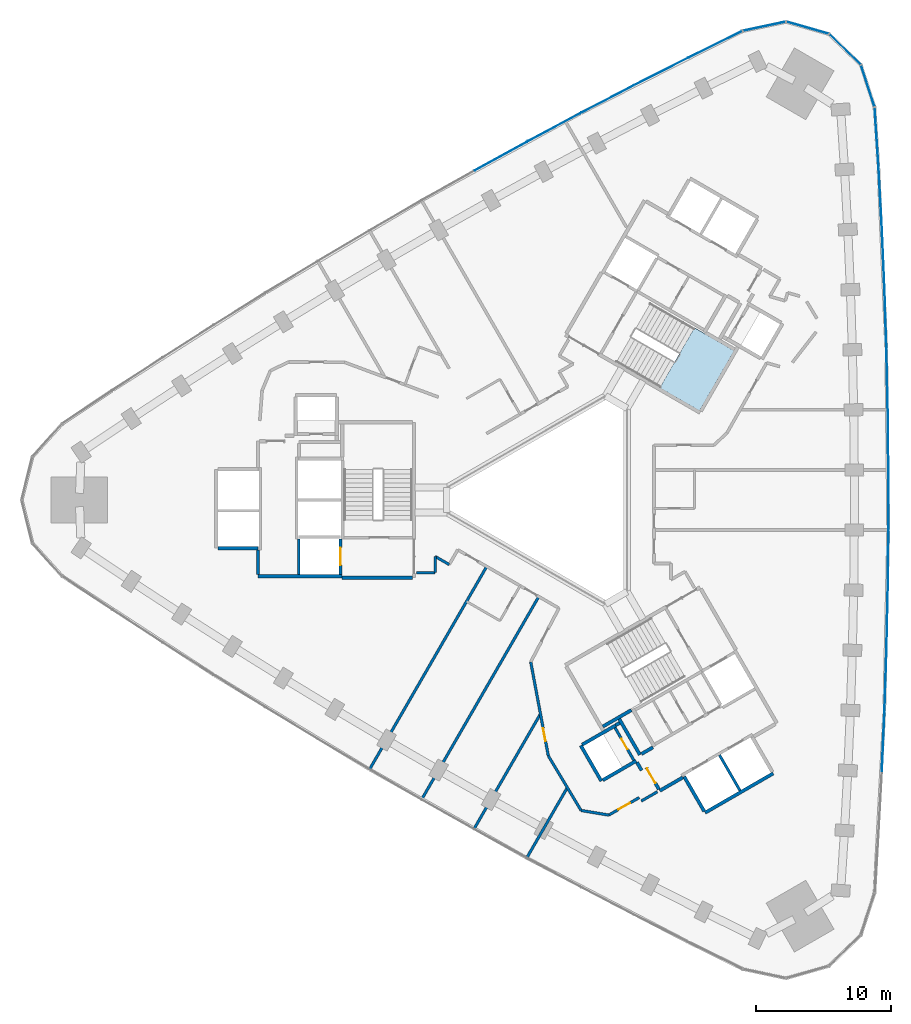
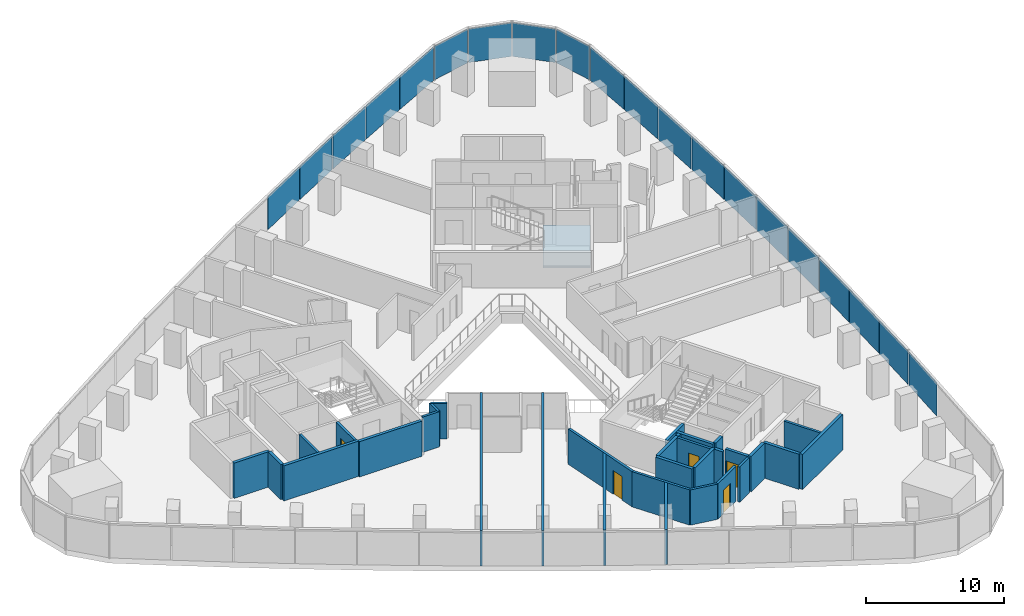
# One storey, part 8 of 13: 32 walls, 20 plates, 5 doors, 1 slab, 5 openings, 3 elements without a shape of their own.
"""IFC4 building model written with IfcOpenShell, lengths in metres."""

import ifcopenshell
import ifcopenshell.guid

model = None  # the IFC model being written
_history = None  # IfcOwnerHistory: only IFC2X3 demands one
_inside = {}  # id of a spatial element -> (the spatial element, [elements in it])
_under = {}  # id of a project, library or spatial element -> (it, [spatial elements below it])
_declared = {}  # id of a project -> (the project, [libraries it declares])
_typed = {}  # id of a type object -> (the type object, [elements of that type])
_made_of = {}  # id of a material, layer set ... -> (it, [elements and type objects made of it])


def new_model(schema):
    """Start an empty IFC model of exactly this schema.

    Asked for "IFC4X3", IfcOpenShell would pick the latest addendum, in which some entities
    have other attributes; the version numbers below select the first issue.
    IFC2X3 requires an IfcOwnerHistory on every rooted entity: one is made here for all.
    """
    global model, _history
    if schema == "IFC4X3":
        model = ifcopenshell.file(schema_version=(4, 3, 0, 0))
    else:
        model = ifcopenshell.file(schema=schema)
    _inside.clear()
    _under.clear()
    _declared.clear()
    _typed.clear()
    _made_of.clear()
    _history = None
    if model.schema == "IFC2X3":
        org = make("IfcOrganization", Name="unknown")
        user = make(
            "IfcPersonAndOrganization",
            ThePerson=make("IfcPerson", FamilyName="unknown"),
            TheOrganization=org,
        )
        app = make(
            "IfcApplication",
            ApplicationDeveloper=org,
            Version="unknown",
            ApplicationFullName="unknown",
            ApplicationIdentifier="unknown",
        )
        _history = make(
            "IfcOwnerHistory",
            OwningUser=user,
            OwningApplication=app,
            ChangeAction="ADDED",
            CreationDate=0,
        )
    return model


def make(cls, **values):
    """One entity of the class cls with the attributes given. An attribute that is None is left unset."""
    return model.create_entity(
        cls, **{name: value for name, value in values.items() if value is not None}
    )


def rooted(cls, **values):
    """An entity with a GlobalId (a new one), such as an element, a storey or a relation."""
    return make(cls, GlobalId=ifcopenshell.guid.new(), OwnerHistory=_history, **values)


def si_unit(unit_type, name, prefix=None):
    """IfcSIUnit, for example si_unit("LENGTHUNIT", "METRE", prefix="MILLI")."""
    return make("IfcSIUnit", UnitType=unit_type, Prefix=prefix, Name=name)


def assignment(units):
    """IfcUnitAssignment: the units of a project."""
    return None if units is None else make("IfcUnitAssignment", Units=units)


def point(xyz):
    """IfcCartesianPoint."""
    return None if xyz is None else make("IfcCartesianPoint", Coordinates=xyz)


def direction(xyz):
    """IfcDirection."""
    return None if xyz is None else make("IfcDirection", DirectionRatios=xyz)


def frame(location, z_axis=None, x_axis=None):
    """IfcAxis2Placement3D, a coordinate frame: its origin and axes. An axis left out is left unset."""
    return make(
        "IfcAxis2Placement3D",
        Location=point(location),
        Axis=direction(z_axis),
        RefDirection=direction(x_axis),
    )


def frame_2d(location, x_axis=None):
    """IfcAxis2Placement2D, a coordinate frame in the plane: its origin and x axis."""
    return make(
        "IfcAxis2Placement2D", Location=point(location), RefDirection=direction(x_axis)
    )


def origin():
    """The frame at (0, 0, 0) with its axes left unset."""
    return frame((0.0, 0.0, 0.0))


def origin_2d():
    """The frame at (0, 0) in the plane with its x axis left unset."""
    return frame_2d((0.0, 0.0))


def place(relative_to, where):
    """IfcLocalPlacement: puts the frame where relative to a parent placement (None: the world)."""
    return make(
        "IfcLocalPlacement", PlacementRelTo=relative_to, RelativePlacement=where
    )


def context(
    kind, dimensions, precision=None, world=None, true_north=None, identifier=None
):
    """IfcGeometricRepresentationContext, for example the 3D "Model" context."""
    return make(
        "IfcGeometricRepresentationContext",
        ContextIdentifier=identifier,
        ContextType=kind,
        CoordinateSpaceDimension=dimensions,
        Precision=precision,
        WorldCoordinateSystem=world,
        TrueNorth=true_north,
    )


def subcontext(parent, identifier, kind, view, scale=None):
    """IfcGeometricRepresentationSubContext, for example "Body" below "Model"."""
    return make(
        "IfcGeometricRepresentationSubContext",
        ContextIdentifier=identifier,
        ContextType=kind,
        ParentContext=parent,
        TargetScale=scale,
        TargetView=view,
    )


def project(units=None, contexts=None):
    """IfcProject with its units and contexts."""
    return rooted(
        "IfcProject",
        Name="project",
        RepresentationContexts=contexts,
        UnitsInContext=assignment(units),
    )


def spatial(cls, under=None, at=None, **own):
    """A site, building, storey or space (cls), placed at a placement, below another one or the project."""
    s = rooted(cls, ObjectPlacement=at, **own)
    if under is not None:
        _under.setdefault(under.id(), (under, []))[1].append(s)
    return s


def polyline(points):
    """IfcPolyline through the points."""
    return make("IfcPolyline", Points=[point(p) for p in points])


def profile(cls, at=None, kind="AREA", **sizes):
    """A parametric profile (cls). Its sizes go by their IFC names, for example OverallWidth=200.0."""
    return make(cls, ProfileType=kind, Position=at, **sizes)


def rectangle(**sizes):
    """IfcRectangleProfileDef."""
    return profile("IfcRectangleProfileDef", **sizes)


def outline(outer, holes=None, kind="AREA"):
    """IfcArbitraryClosedProfileDef: a profile drawn as a closed curve; with holes, ...WithVoids."""
    if holes is None:
        return make("IfcArbitraryClosedProfileDef", ProfileType=kind, OuterCurve=outer)
    return make(
        "IfcArbitraryProfileDefWithVoids",
        ProfileType=kind,
        OuterCurve=outer,
        InnerCurves=holes,
    )


def extrude(swept, where, along, depth):
    """IfcExtrudedAreaSolid: the profile swept, set in the frame where, extruded along a direction by depth."""
    return make(
        "IfcExtrudedAreaSolid",
        SweptArea=swept,
        Position=where,
        ExtrudedDirection=direction(along),
        Depth=depth,
    )


def shape(context_of_items, identifier, shape_type, items):
    """IfcShapeRepresentation: the items that make up one representation, for example the "Body"."""
    return make(
        "IfcShapeRepresentation",
        ContextOfItems=context_of_items,
        RepresentationIdentifier=identifier,
        RepresentationType=shape_type,
        Items=items,
    )


def material(Name=None, Category=None):
    """IfcMaterial."""
    return make("IfcMaterial", Name=Name, Category=Category)


def layer(
    of_material, thickness, ventilated=None, Name=None, Category=None, Priority=None
):
    """IfcMaterialLayer: one layer of a wall or slab, of a material (None: an air gap)."""
    return make(
        "IfcMaterialLayer",
        Material=of_material,
        LayerThickness=thickness,
        IsVentilated=ventilated,
        Name=Name,
        Category=Category,
        Priority=Priority,
    )


def layer_set(layers, Name=None):
    """IfcMaterialLayerSet."""
    return make("IfcMaterialLayerSet", MaterialLayers=layers, LayerSetName=Name)


def made_of(thing, what):
    """Note that an element or type object is made of a material, layer set ...; save() writes the relation."""
    if what is not None:
        _made_of.setdefault(what.id(), (what, []))[1].append(thing)
    return thing


def type_object(cls, material=None, **own):
    """A type object (cls), such as IfcWallType, which elements share."""
    return made_of(rooted(cls, **own), material)


def element(
    cls,
    number,
    at=None,
    inside=None,
    cuts=None,
    type_object=None,
    material=None,
    context=None,
    identifier="Body",
    shape_type=None,
    held_by="IfcProductDefinitionShape",
    body=None,
    shapes=None,
    **own,
):
    """One element of the class cls, such as IfcWall. Its Tag is "e" and its number.

    at: its placement. inside: the storey or other place that contains it. cuts: it is an
    opening in that element (IfcRelVoidsElement). A single representation is given by context,
    identifier, shape_type and body (its items); several are given by shapes. held_by: the class
    of the entity that holds the representations. save() writes the other relations.
    """
    e = rooted(cls, Tag="e%d" % number, ObjectPlacement=at, **own)
    if body is not None:
        shapes = [shape(context, identifier, shape_type, body)]
    if shapes is not None:
        e.Representation = make(held_by, Representations=shapes)
    if inside is not None:
        _inside.setdefault(inside.id(), (inside, []))[1].append(e)
    if cuts is not None:
        rooted(
            "IfcRelVoidsElement", RelatingBuildingElement=cuts, RelatedOpeningElement=e
        )
    if type_object is not None:
        _typed.setdefault(type_object.id(), (type_object, []))[1].append(e)
    return made_of(e, material)


def fill(opening, filler):
    """IfcRelFillsElement: the door or window that sits in an opening."""
    return rooted(
        "IfcRelFillsElement",
        RelatingOpeningElement=opening,
        RelatedBuildingElement=filler,
    )


def aggregate(whole, parts):
    """IfcRelAggregates: a whole, such as a stair, and the parts it consists of."""
    return rooted("IfcRelAggregates", RelatingObject=whole, RelatedObjects=parts)


def save(model, path):
    """Write the relations noted so far, then the file.

    IfcRelAggregates (storeys below a building ...), IfcRelContainedInSpatialStructure (elements
    in a storey), IfcRelDefinesByType, IfcRelAssociatesMaterial and IfcRelDeclares: one each for
    every whole, place, type object, material and project.
    """
    for whole, parts in _under.values():
        aggregate(whole, parts)
    for where, things in _inside.values():
        rooted(
            "IfcRelContainedInSpatialStructure",
            RelatedElements=things,
            RelatingStructure=where,
        )
    for kind, things in _typed.values():
        rooted("IfcRelDefinesByType", RelatedObjects=things, RelatingType=kind)
    for what, things in _made_of.values():
        rooted("IfcRelAssociatesMaterial", RelatedObjects=things, RelatingMaterial=what)
    for by, libraries in _declared.values():
        rooted("IfcRelDeclares", RelatingContext=by, RelatedDefinitions=libraries)
    model.write(path)


model = new_model("IFC4")

# Units and contexts
model_context = context("Model", 3, precision=1e-05, world=origin(), true_north=direction((0.0, 1.0)))
body_context = subcontext(model_context, "Body", "Model", "MODEL_VIEW")
ifc_project = project(units=[si_unit("LENGTHUNIT", "METRE"), si_unit("AREAUNIT", "SQUARE_METRE"), si_unit("VOLUMEUNIT", "CUBIC_METRE"), si_unit("PLANEANGLEUNIT", "RADIAN"), si_unit("MASSUNIT", "GRAM", prefix="KILO")], contexts=[model_context])

# Site, building, storey
site_placement = place(None, origin())
site = spatial("IfcSite", under=ifc_project, at=site_placement, CompositionType="ELEMENT")
building_placement = place(site_placement, origin())
building = spatial("IfcBuilding", under=site, at=building_placement, Name="Tamra Quay Hotel Tower", CompositionType="ELEMENT")
storey_placement = place(building_placement, frame((0.0, 0.0, 60.199951171875)))
storey = spatial("IfcBuildingStorey", under=building, at=storey_placement, Name="L13", CompositionType="ELEMENT", Elevation=60.199951171875)

# Stair, slab
ifc_material_1 = material(Name="Exit stair 2200 24 risers 150.0 going 342")
stair_type = type_object("IfcStairType", Name="Exit stair 2200 24 risers 150.0 going 342", PredefinedType="HALF_TURN_STAIR", material=ifc_material_1)
stair_placement = place(storey_placement, origin())
stair = element("IfcStair", 1, at=stair_placement, inside=storey, type_object=stair_type, Name="L13 Exit stair ST1", PredefinedType="HALF_TURN_STAIR")
ifc_material_2 = material(Name="Concrete M70", Category="concrete")
ifc_layer_1 = layer(ifc_material_2, 0.175048828125)
ifc_layer_set_1 = layer_set([ifc_layer_1], Name="Concrete M70 stair landing 180")
slab_type = type_object("IfcSlabType", Name="Concrete M70 stair landing 180", PredefinedType="LANDING", material=ifc_layer_set_1)
slab_placement = place(storey_placement, frame((0.0, 0.0, 1.625)))
slab = element("IfcSlab", 2, at=slab_placement, type_object=slab_type, Name="ST1 landing 1", PredefinedType="LANDING", context=body_context, shape_type="SweptSolid", body=[
    extrude(outline(polyline([(7.425048828125, 8.336669921875), (10.385009765625, 6.627685546875), (12.964599609375, 11.095458984375), (10.00439453125, 12.804443359375), (7.425048828125, 8.336669921875)])), origin(), (0.0, 0.0, 1.0), 0.175048828125),
])
aggregate(stair, [slab])

# Curtain wall, plates
ifc_material_3 = material(Name="Aluminium 6063 anodised dark grey", Category="aluminium")
curtain_wall_type_1 = type_object("IfcCurtainWallType", Name="CW1 CURTAIN WALL", PredefinedType="NOTDEFINED", material=ifc_material_3)
curtain_wall_1_placement = place(storey_placement, origin())
curtain_wall_1 = element("IfcCurtainWall", 3, at=curtain_wall_1_placement, inside=storey, type_object=curtain_wall_type_1, Name="CW1 east face L13", PredefinedType="NOTDEFINED")
ifc_material_4 = material(Name="Glass clear laminated low-iron", Category="glass")
ifc_layer_2 = layer(ifc_material_4, 0.035888671875)
ifc_layer_set_2 = layer_set([ifc_layer_2], Name="GLASS PANEL CW1 Z1")
plate_type_1 = type_object("IfcPlateType", Name="GLASS PANEL CW1 Z1", PredefinedType="CURTAIN_PANEL", material=ifc_layer_set_2)
plate_1_placement = place(storey_placement, frame((24.04052734375, -17.985107421875, 0.0), z_axis=(0.0, 0.0, 1.0), x_axis=(0.043285462035, 0.999062745165, 0.0)))
plate_1 = element("IfcPlate", 4, at=plate_1_placement, type_object=plate_type_1, Name="CW1 glass L13.E.3", PredefinedType="CURTAIN_PANEL", context=body_context, shape_type="SweptSolid", body=[
    extrude(rectangle(XDim=4.397216796875, YDim=0.035888671875, at=origin_2d()), origin(), (0.0, 0.0, 1.0), 2.985107421875),
])
plate_2_placement = place(storey_placement, frame((24.2109375, -13.490966796875, 0.0), z_axis=(0.0, 0.0, 1.0), x_axis=(0.032474799035, 0.999472554615, 0.0)))
plate_2 = element("IfcPlate", 5, at=plate_2_placement, type_object=plate_type_1, Name="CW1 glass L13.E.4", PredefinedType="CURTAIN_PANEL", context=body_context, shape_type="SweptSolid", body=[
    extrude(rectangle(XDim=4.397216796875, YDim=0.035888671875, at=origin_2d()), origin(), (0.0, 0.0, 1.0), 2.985107421875),
])
plate_3_placement = place(storey_placement, frame((24.332763671875, -8.99462890625, 0.0), z_axis=(0.0, 0.0, 1.0), x_axis=(0.021657440572, 0.999765450127, 0.0)))
plate_3 = element("IfcPlate", 6, at=plate_3_placement, type_object=plate_type_1, Name="CW1 glass L13.E.5", PredefinedType="CURTAIN_PANEL", context=body_context, shape_type="SweptSolid", body=[
    extrude(rectangle(XDim=4.39892578125, YDim=0.035888671875, at=origin_2d()), origin(), (0.0, 0.0, 1.0), 2.985107421875),
])
plate_4_placement = place(storey_placement, frame((24.40576171875, -4.4970703125, 0.0), z_axis=(0.0, 0.0, 1.0), x_axis=(0.010835825783, 0.999941290716, 0.0)))
plate_4 = element("IfcPlate", 7, at=plate_4_placement, type_object=plate_type_1, Name="CW1 glass L13.E.6", PredefinedType="CURTAIN_PANEL", context=body_context, shape_type="SweptSolid", body=[
    extrude(rectangle(XDim=4.397216796875, YDim=0.035888671875, at=origin_2d()), origin(), (0.0, 0.0, 1.0), 2.985107421875),
])
plate_5_placement = place(storey_placement, frame((24.43017578125, 0.0, 0.0), z_axis=(0.0, 0.0, 1.0), x_axis=(0.0, 1.0, 0.0)))
plate_5 = element("IfcPlate", 8, at=plate_5_placement, type_object=plate_type_1, Name="CW1 glass L13.E.7", PredefinedType="CURTAIN_PANEL", context=body_context, shape_type="SweptSolid", body=[
    extrude(rectangle(XDim=4.397216796875, YDim=0.035888671875, at=origin_2d()), origin(), (0.0, 0.0, 1.0), 2.985107421875),
])
plate_6_placement = place(storey_placement, frame((24.40576171875, 4.4970703125, 0.0), z_axis=(0.0, 0.0, 1.0), x_axis=(-0.010835825783, 0.999941290716, 0.0)))
plate_6 = element("IfcPlate", 9, at=plate_6_placement, type_object=plate_type_1, Name="CW1 glass L13.E.8", PredefinedType="CURTAIN_PANEL", context=body_context, shape_type="SweptSolid", body=[
    extrude(rectangle(XDim=4.397216796875, YDim=0.035888671875, at=origin_2d()), origin(), (0.0, 0.0, 1.0), 2.985107421875),
])
plate_7_placement = place(storey_placement, frame((24.332763671875, 8.99462890625, 0.0), z_axis=(0.0, 0.0, 1.0), x_axis=(-0.021657440572, 0.999765450127, 0.0)))
plate_7 = element("IfcPlate", 10, at=plate_7_placement, type_object=plate_type_1, Name="CW1 glass L13.E.9", PredefinedType="CURTAIN_PANEL", context=body_context, shape_type="SweptSolid", body=[
    extrude(rectangle(XDim=4.39892578125, YDim=0.035888671875, at=origin_2d()), origin(), (0.0, 0.0, 1.0), 2.985107421875),
])
plate_8_placement = place(storey_placement, frame((24.2109375, 13.490966796875, 0.0), z_axis=(0.0, 0.0, 1.0), x_axis=(-0.032474799035, 0.999472554615, 0.0)))
plate_8 = element("IfcPlate", 11, at=plate_8_placement, type_object=plate_type_1, Name="CW1 glass L13.E.10", PredefinedType="CURTAIN_PANEL", context=body_context, shape_type="SweptSolid", body=[
    extrude(rectangle(XDim=4.397216796875, YDim=0.035888671875, at=origin_2d()), origin(), (0.0, 0.0, 1.0), 2.985107421875),
])
plate_9_placement = place(storey_placement, frame((24.04052734375, 17.985107421875, 0.0), z_axis=(0.0, 0.0, 1.0), x_axis=(-0.043285462035, 0.999062745165, 0.0)))
plate_9 = element("IfcPlate", 12, at=plate_9_placement, type_object=plate_type_1, Name="CW1 glass L13.E.11", PredefinedType="CURTAIN_PANEL", context=body_context, shape_type="SweptSolid", body=[
    extrude(rectangle(XDim=4.397216796875, YDim=0.035888671875, at=origin_2d()), origin(), (0.0, 0.0, 1.0), 2.985107421875),
])
plate_10_placement = place(storey_placement, frame((23.821533203125, 22.477783203125, 0.0), z_axis=(0.0, 0.0, 1.0), x_axis=(-0.054062119595, 0.998537574268, 0.0)))
plate_10 = element("IfcPlate", 13, at=plate_10_placement, type_object=plate_type_1, Name="CW1 glass L13.E.12", PredefinedType="CURTAIN_PANEL", context=body_context, shape_type="SweptSolid", body=[
    extrude(rectangle(XDim=4.39892578125, YDim=0.035888671875, at=origin_2d()), origin(), (0.0, 0.0, 1.0), 2.985107421875),
])
plate_11_placement = place(storey_placement, frame((23.55419921875, 26.96728515625, 0.0), z_axis=(0.0, 0.0, 1.0), x_axis=(-0.064813097616, 0.997897420769, 0.0)))
plate_11 = element("IfcPlate", 14, at=plate_11_placement, type_object=plate_type_1, Name="CW1 glass L13.E.13", PredefinedType="CURTAIN_PANEL", context=body_context, shape_type="SweptSolid", body=[
    extrude(rectangle(XDim=4.396484375, YDim=0.035888671875, at=origin_2d()), origin(), (0.0, 0.0, 1.0), 2.985107421875),
])
plate_12_placement = place(storey_placement, frame((22.8974609375, 30.783447265625, 0.0), z_axis=(0.0, 0.0, 1.0), x_axis=(-0.309040551826, 0.951048861693, 0.0)))
plate_12 = element("IfcPlate", 15, at=plate_12_placement, type_object=plate_type_1, Name="CW1 glass L13.E.14", PredefinedType="CURTAIN_PANEL", context=body_context, shape_type="SweptSolid", body=[
    extrude(rectangle(XDim=3.207275390625, YDim=0.035888671875, at=origin_2d()), origin(), (0.0, 0.0, 1.0), 2.985107421875),
])
plate_13_placement = place(storey_placement, frame((21.197021484375, 33.5048828125, 0.0), z_axis=(0.0, 0.0, 1.0), x_axis=(-0.719345535851, 0.694652431113, 0.0)))
plate_13 = element("IfcPlate", 16, at=plate_13_placement, type_object=plate_type_1, Name="CW1 glass L13.E.15", PredefinedType="CURTAIN_PANEL", context=body_context, shape_type="SweptSolid", body=[
    extrude(rectangle(XDim=3.207275390625, YDim=0.035888671875, at=origin_2d()), origin(), (0.0, 0.0, 1.0), 2.985107421875),
])
plate_14_placement = place(storey_placement, frame((18.417724609375, 35.109619140625, 0.0), z_axis=(0.0, 0.0, 1.0), x_axis=(-0.96125942007, 0.275645292589, 0.0)))
plate_14 = element("IfcPlate", 17, at=plate_14_placement, type_object=plate_type_1, Name="CW1 glass L13.E.16", PredefinedType="CURTAIN_PANEL", context=body_context, shape_type="SweptSolid", body=[
    extrude(rectangle(XDim=3.207275390625, YDim=0.035888671875, at=origin_2d()), origin(), (0.0, 0.0, 1.0), 2.985107421875),
])
plate_15_placement = place(storey_placement, frame((15.210693359375, 35.2216796875, 0.0), z_axis=(0.0, 0.0, 1.0), x_axis=(-0.978152750379, -0.207887462165, 0.0)))
plate_15 = element("IfcPlate", 18, at=plate_15_placement, type_object=plate_type_1, Name="CW1 glass L13.E.17", PredefinedType="CURTAIN_PANEL", context=body_context, shape_type="SweptSolid", body=[
    extrude(rectangle(XDim=3.207275390625, YDim=0.035888671875, at=origin_2d()), origin(), (0.0, 0.0, 1.0), 2.985107421875),
])
aggregate(curtain_wall_1, [plate_1, plate_2, plate_3, plate_4, plate_5, plate_6, plate_7, plate_8, plate_9, plate_10, plate_11, plate_12, plate_13, plate_14, plate_15])

curtain_wall_type_2 = type_object("IfcCurtainWallType", Name="CW2 CURTAIN WALL", PredefinedType="NOTDEFINED", material=ifc_material_3)
curtain_wall_2_placement = place(storey_placement, origin())
curtain_wall_2 = element("IfcCurtainWall", 19, at=curtain_wall_2_placement, inside=storey, type_object=curtain_wall_type_2, Name="CW2 north-west face L13", PredefinedType="NOTDEFINED")
ifc_layer_3 = layer(ifc_material_4, 0.035888671875)
ifc_layer_set_3 = layer_set([ifc_layer_3], Name="GLASS PANEL CW2 Z1")
plate_type_2 = type_object("IfcPlateType", Name="GLASS PANEL CW2 Z1", PredefinedType="CURTAIN_PANEL", material=ifc_layer_set_3)
plate_16_placement = place(storey_placement, frame((11.5771484375, 33.88232421875, 0.0), z_axis=(0.0, 0.0, 1.0), x_axis=(-0.896611065565, -0.442818921351, 0.0)))
plate_16 = element("IfcPlate", 20, at=plate_16_placement, type_object=plate_type_2, Name="CW2 glass L13.NW.1", PredefinedType="CURTAIN_PANEL", context=body_context, shape_type="SweptSolid", body=[
    extrude(rectangle(XDim=4.396484375, YDim=0.035888671875, at=origin_2d()), origin(), (0.0, 0.0, 1.0), 2.985107421875),
])
plate_17_placement = place(storey_placement, frame((7.555419921875, 31.868896484375, 0.0), z_axis=(0.0, 0.0, 1.0), x_axis=(-0.891789965747, -0.452449618182, 0.0)))
plate_17 = element("IfcPlate", 21, at=plate_17_placement, type_object=plate_type_2, Name="CW2 glass L13.NW.2", PredefinedType="CURTAIN_PANEL", context=body_context, shape_type="SweptSolid", body=[
    extrude(rectangle(XDim=4.39892578125, YDim=0.035888671875, at=origin_2d()), origin(), (0.0, 0.0, 1.0), 2.985107421875),
])
plate_18_placement = place(storey_placement, frame((3.55517578125, 29.812255859375, 0.0), z_axis=(0.0, 0.0, 1.0), x_axis=(-0.886856448305, -0.462045062846, 0.0)))
plate_18 = element("IfcPlate", 22, at=plate_18_placement, type_object=plate_type_2, Name="CW2 glass L13.NW.3", PredefinedType="CURTAIN_PANEL", context=body_context, shape_type="SweptSolid", body=[
    extrude(rectangle(XDim=4.397216796875, YDim=0.035888671875, at=origin_2d()), origin(), (0.0, 0.0, 1.0), 2.985107421875),
])
plate_19_placement = place(storey_placement, frame((-0.421875, 27.712890625, 0.0), z_axis=(0.0, 0.0, 1.0), x_axis=(-0.881806022199, -0.47161227636, 0.0)))
plate_19 = element("IfcPlate", 23, at=plate_19_placement, type_object=plate_type_2, Name="CW2 glass L13.NW.4", PredefinedType="CURTAIN_PANEL", context=body_context, shape_type="SweptSolid", body=[
    extrude(rectangle(XDim=4.397216796875, YDim=0.035888671875, at=origin_2d()), origin(), (0.0, 0.0, 1.0), 2.985107421875),
])
plate_20_placement = place(storey_placement, frame((-4.376708984375, 25.570068359375, 0.0), z_axis=(0.0, 0.0, 1.0), x_axis=(-0.876650997922, -0.481126831347, 0.0)))
plate_20 = element("IfcPlate", 24, at=plate_20_placement, type_object=plate_type_2, Name="CW2 glass L13.NW.5", PredefinedType="CURTAIN_PANEL", context=body_context, shape_type="SweptSolid", body=[
    extrude(rectangle(XDim=4.39892578125, YDim=0.035888671875, at=origin_2d()), origin(), (0.0, 0.0, 1.0), 2.985107421875),
])
aggregate(curtain_wall_2, [plate_16, plate_17, plate_18, plate_19, plate_20])

# Wall, opening, door
ifc_layer_4 = layer(ifc_material_2, 0.199951171875)
ifc_layer_set_4 = layer_set([ifc_layer_4], Name="Concrete M70 core wall 200")
wall_type_1 = type_object("IfcWallType", Name="Concrete M70 core wall 200", PredefinedType="SHEAR", material=ifc_layer_set_4)
wall_1_placement = place(storey_placement, frame((-16.312255859375, -2.898193359375, 0.0), z_axis=(0.0, 0.0, 1.0), x_axis=(0.0, -1.0, 0.0)))
wall_1 = element("IfcWall", 25, at=wall_1_placement, inside=storey, type_object=wall_type_1, Name="CW2", PredefinedType="SHEAR", context=body_context, shape_type="SweptSolid", body=[
    extrude(rectangle(XDim=2.65087890625, YDim=0.199951171875, at=frame_2d((1.325439453125, 0.0))), origin(), (0.0, 0.0, 1.0), 3.125),
])
opening_1_placement = place(wall_1_placement, frame((0.65185546875, 0.0, 0.0)))
opening_1 = element("IfcOpeningElement", 26, at=opening_1_placement, cuts=wall_1, Name="Opening LD", PredefinedType="OPENING", context=body_context, shape_type="SweptSolid", body=[
    extrude(rectangle(XDim=1.300048828125, YDim=2.10009765625, at=frame_2d((0.64990234375, 1.050048828125))), frame((0.0, 0.10986328125, 0.0), z_axis=(0.0, -1.0, 0.0), x_axis=(1.0, 0.0, 0.0)), (0.0, 0.0, 1.0), 0.219970703125),
])
ifc_material_5 = material(Name="Landing door LD 1300 sliding to left")
door_type_1 = type_object("IfcDoorType", Name="Landing door LD 1300 sliding to left", OperationType="NOTDEFINED", PredefinedType="DOOR", material=ifc_material_5)
door_1_placement = place(opening_1_placement, origin())
door_1 = element("IfcDoor", 27, at=door_1_placement, inside=storey, type_object=door_type_1, Name="LD", OperationType="SLIDING_TO_LEFT", OverallHeight=2.10009765625, OverallWidth=1.300048828125, PredefinedType="DOOR", context=body_context, shape_type="SweptSolid", body=[
    extrude(rectangle(XDim=1.300048828125, YDim=2.10009765625, at=frame_2d((0.64990234375, 1.050048828125))), frame((0.0, 0.02490234375, 0.0), z_axis=(0.0, -1.0, 0.0), x_axis=(1.0, 0.0, 0.0)), (0.0, 0.0, 1.0), 0.050048828125),
])
fill(opening_1, door_1)

# Walls
wall_2_placement = place(storey_placement, frame((-19.412353515625, -5.549072265625, 0.0), z_axis=(0.0, 0.0, 1.0), x_axis=(0.0, 1.0, 0.0)))
element("IfcWall", 28, at=wall_2_placement, inside=storey, type_object=wall_type_1, Name="CW2", PredefinedType="SHEAR", context=body_context, shape_type="SweptSolid", body=[
    extrude(rectangle(XDim=2.65087890625, YDim=0.199951171875, at=frame_2d((1.325439453125, 0.0))), origin(), (0.0, 0.0, 1.0), 3.125),
])
wall_3_placement = place(storey_placement, frame((11.87451171875, -18.967041015625, 0.0), z_axis=(0.0, 0.0, 1.0), x_axis=(0.49998131003, -0.866036194175, 0.0)))
element("IfcWall", 29, at=wall_3_placement, inside=storey, type_object=wall_type_1, Name="CW2", PredefinedType="SHEAR", context=body_context, shape_type="SweptSolid", body=[
    extrude(rectangle(XDim=3.0478515625, YDim=0.199951171875, at=frame_2d((1.52392578125, 0.0))), origin(), (0.0, 0.0, 1.0), 3.125),
])

# Wall, opening, door
wall_4_placement = place(storey_placement, frame((5.50341796875, -19.352294921875, 0.0), z_axis=(0.0, 0.0, 1.0), x_axis=(-0.499986818241, 0.866033014143, 0.0)))
wall_4 = element("IfcWall", 30, at=wall_4_placement, inside=storey, type_object=wall_type_1, Name="CW2", PredefinedType="SHEAR", context=body_context, shape_type="SweptSolid", body=[
    extrude(rectangle(XDim=2.7978515625, YDim=0.199951171875, at=frame_2d((1.39892578125, 0.0))), origin(), (0.0, 0.0, 1.0), 3.125),
])
opening_2_placement = place(wall_4_placement, frame((0.948974609375, 0.0, 0.0)))
opening_2 = element("IfcOpeningElement", 31, at=opening_2_placement, cuts=wall_4, Name="Opening D1", PredefinedType="OPENING", context=body_context, shape_type="SweptSolid", body=[
    extrude(rectangle(XDim=0.89990234375, YDim=2.10009765625, at=frame_2d((0.449951171875, 1.050048828125))), frame((0.0, 0.10986328125, 0.0), z_axis=(0.0, -1.0, 0.0), x_axis=(1.0, 0.0, 0.0)), (0.0, 0.0, 1.0), 0.219970703125),
])
ifc_material_6 = material(Name="Core door D1 900x2100 LH")
door_type_2 = type_object("IfcDoorType", Name="Core door D1 900x2100 LH", OperationType="NOTDEFINED", PredefinedType="DOOR", material=ifc_material_6)
door_2_placement = place(opening_2_placement, origin())
door_2 = element("IfcDoor", 32, at=door_2_placement, inside=storey, type_object=door_type_2, Name="D1", OperationType="SINGLE_SWING_LEFT", OverallHeight=2.10009765625, OverallWidth=0.89990234375, PredefinedType="DOOR", context=body_context, shape_type="SweptSolid", body=[
    extrude(rectangle(XDim=0.89990234375, YDim=2.10009765625, at=frame_2d((0.449951171875, 1.050048828125))), frame((0.0, 0.02490234375, 0.0), z_axis=(0.0, -1.0, 0.0), x_axis=(1.0, 0.0, 0.0)), (0.0, 0.0, 1.0), 0.050048828125),
])
fill(opening_2, door_2)

# Walls
ifc_layer_5 = layer(ifc_material_2, 0.25)
ifc_layer_set_5 = layer_set([ifc_layer_5], Name="Concrete M70 core wall 250")
wall_type_2 = type_object("IfcWallType", Name="Concrete M70 core wall 250", PredefinedType="SHEAR", material=ifc_layer_set_5)
wall_5_placement = place(storey_placement, frame((-16.187255859375, -5.675048828125, 0.0), z_axis=(0.0, 0.0, 1.0), x_axis=(-1.0, 0.0, 0.0)))
element("IfcWall", 33, at=wall_5_placement, inside=storey, type_object=wall_type_2, Name="CW1", PredefinedType="SHEAR", context=body_context, shape_type="SweptSolid", body=[
    extrude(rectangle(XDim=6.25, YDim=0.25, at=frame_2d((3.125, 0.0))), origin(), (0.0, 0.0, 1.0), 3.125),
])
wall_6_placement = place(storey_placement, frame((-10.962646484375, -5.77490234375, 0.0), z_axis=(0.0, 0.0, 1.0), x_axis=(-1.0, 0.0, 0.0)))
element("IfcWall", 34, at=wall_6_placement, inside=storey, type_object=wall_type_2, Name="CW1", PredefinedType="SHEAR", context=body_context, shape_type="SweptSolid", body=[
    extrude(rectangle(XDim=5.224609375, YDim=0.25, at=frame_2d((2.6123046875, 0.0))), origin(), (0.0, 0.0, 1.0), 3.125),
])
wall_7_placement = place(storey_placement, frame((-22.437255859375, -3.574951171875, 0.0), z_axis=(0.0, 0.0, 1.0), x_axis=(-1.0, 0.0, 0.0)))
element("IfcWall", 35, at=wall_7_placement, inside=storey, type_object=wall_type_2, Name="CW1", PredefinedType="SHEAR", context=body_context, shape_type="SweptSolid", body=[
    extrude(rectangle(XDim=2.974609375, YDim=0.25, at=frame_2d((1.4873046875, 0.0))), origin(), (0.0, 0.0, 1.0), 3.125),
])
wall_8_placement = place(storey_placement, frame((-22.437255859375, -5.549560546875, 0.0), z_axis=(0.0, 0.0, 1.0), x_axis=(0.0, 1.0, 0.0)))
element("IfcWall", 36, at=wall_8_placement, inside=storey, type_object=wall_type_2, Name="CW1", PredefinedType="SHEAR", context=body_context, shape_type="SweptSolid", body=[
    extrude(rectangle(XDim=1.84912109375, YDim=0.25, at=frame_2d((0.924560546875, 0.0))), origin(), (0.0, 0.0, 1.0), 3.125),
])
wall_9_placement = place(storey_placement, frame((15.86474609375, -20.328369140625, 0.0), z_axis=(0.0, 0.0, 1.0), x_axis=(-0.86602852612, -0.499994591916, 0.0)))
element("IfcWall", 37, at=wall_9_placement, inside=storey, type_object=wall_type_2, Name="CW1", PredefinedType="SHEAR", context=body_context, shape_type="SweptSolid", body=[
    extrude(rectangle(XDim=5.85009765625, YDim=0.25, at=frame_2d((2.925048828125, 0.0))), origin(), (0.0, 0.0, 1.0), 3.125),
])
wall_10_placement = place(storey_placement, frame((10.73583984375, -23.144775390625, 0.0), z_axis=(0.0, 0.0, 1.0), x_axis=(-0.500023226632, 0.866011993467, 0.0)))
element("IfcWall", 38, at=wall_10_placement, inside=storey, type_object=wall_type_2, Name="CW1", PredefinedType="SHEAR", context=body_context, shape_type="SweptSolid", body=[
    extrude(rectangle(XDim=2.974365234375, YDim=0.25, at=frame_2d((1.4873046875, 0.0))), origin(), (0.0, 0.0, 1.0), 3.125),
])
wall_11_placement = place(storey_placement, frame((3.085205078125, -20.893798828125, 0.0), z_axis=(0.0, 0.0, 1.0), x_axis=(-0.499978833458, 0.866037623948, 0.0)))
element("IfcWall", 39, at=wall_11_placement, inside=storey, type_object=wall_type_2, Name="CW1", PredefinedType="SHEAR", context=body_context, shape_type="SweptSolid", body=[
    extrude(rectangle(XDim=3.050048828125, YDim=0.25, at=frame_2d((1.52490234375, 0.0))), origin(), (0.0, 0.0, 1.0), 3.125),
])
wall_12_placement = place(storey_placement, frame((1.6689453125, -18.189697265625, 0.0), z_axis=(0.0, 0.0, 1.0), x_axis=(0.866042235819, 0.499970844928, 0.0)))
element("IfcWall", 40, at=wall_12_placement, inside=storey, type_object=wall_type_2, Name="CW1", PredefinedType="SHEAR", context=body_context, shape_type="SweptSolid", body=[
    extrude(rectangle(XDim=2.864501953125, YDim=0.25, at=frame_2d((1.43212890625, 0.0))), origin(), (0.0, 0.0, 1.0), 3.125),
])
wall_13_placement = place(storey_placement, frame((5.6748046875, -19.39892578125, 0.0), z_axis=(0.0, 0.0, 1.0), x_axis=(-0.866026637627, -0.499997862916, 0.0)))
element("IfcWall", 41, at=wall_13_placement, inside=storey, type_object=wall_type_2, Name="CW1", PredefinedType="SHEAR", context=body_context, shape_type="SweptSolid", body=[
    extrude(rectangle(XDim=2.86474609375, YDim=0.25, at=frame_2d((1.432373046875, 0.0))), origin(), (0.0, 0.0, 1.0), 3.125),
])
wall_14_placement = place(storey_placement, frame((4.414306640625, -16.275634765625, 0.0), z_axis=(0.0, 0.0, 1.0), x_axis=(0.500003324108, -0.866023484601, 0.0)))
element("IfcWall", 42, at=wall_14_placement, inside=storey, type_object=wall_type_2, Name="CW1", PredefinedType="SHEAR", context=body_context, shape_type="SweptSolid", body=[
    extrude(rectangle(XDim=3.0849609375, YDim=0.25, at=frame_2d((1.54248046875, 0.0))), origin(), (0.0, 0.0, 1.0), 3.125),
])
wall_15_placement = place(storey_placement, frame((5.322021484375, -15.618896484375, 0.0), z_axis=(0.0, 0.0, 1.0), x_axis=(-0.866026229868, -0.499998569178, 0.0)))
element("IfcWall", 43, at=wall_15_placement, inside=storey, type_object=wall_type_2, Name="CW1", PredefinedType="SHEAR", context=body_context, shape_type="SweptSolid", body=[
    extrude(rectangle(XDim=2.44921875, YDim=0.25, at=frame_2d((1.224609375, 0.0))), origin(), (0.0, 0.0, 1.0), 3.125),
])
wall_16_placement = place(storey_placement, frame((9.139892578125, -20.63134765625, 0.0), z_axis=(0.0, 0.0, 1.0), x_axis=(-0.866043531843, -0.499968599967, 0.0)))
element("IfcWall", 44, at=wall_16_placement, inside=storey, type_object=wall_type_2, Name="CW1", PredefinedType="SHEAR", context=body_context, shape_type="SweptSolid", body=[
    extrude(rectangle(XDim=1.974853515625, YDim=0.25, at=frame_2d((0.9873046875, 0.0))), origin(), (0.0, 0.0, 1.0), 3.125),
])

# Wall, opening, door
wall_17_placement = place(storey_placement, frame((7.3671875, -21.51025390625, 0.0), z_axis=(0.0, 0.0, 1.0), x_axis=(-0.499983108224, 0.866035156036, 0.0)))
wall_17 = element("IfcWall", 45, at=wall_17_placement, inside=storey, type_object=wall_type_2, Name="CW1", PredefinedType="SHEAR", context=body_context, shape_type="SweptSolid", body=[
    extrude(rectangle(XDim=1.86474609375, YDim=0.25, at=frame_2d((0.932373046875, 0.0))), origin(), (0.0, 0.0, 1.0), 3.125),
])
opening_3_placement = place(wall_17_placement, frame((0.53466796875, 0.0, 0.0)))
opening_3 = element("IfcOpeningElement", 46, at=opening_3_placement, cuts=wall_17, Name="Opening FD3", PredefinedType="OPENING", context=body_context, shape_type="SweptSolid", body=[
    extrude(rectangle(XDim=1.25, YDim=2.10009765625, at=frame_2d((0.625, 1.050048828125))), frame((0.0, 0.135009765625, 0.0), z_axis=(0.0, -1.0, 0.0), x_axis=(1.0, 0.0, 0.0)), (0.0, 0.0, 1.0), 0.27001953125),
])
ifc_material_7 = material(Name="Core door FD3 1250x2100 LH")
door_type_3 = type_object("IfcDoorType", Name="Core door FD3 1250x2100 LH", OperationType="NOTDEFINED", PredefinedType="DOOR", material=ifc_material_7)
door_3_placement = place(opening_3_placement, origin())
door_3 = element("IfcDoor", 47, at=door_3_placement, inside=storey, type_object=door_type_3, Name="FD3", OperationType="SINGLE_SWING_LEFT", OverallHeight=2.10009765625, OverallWidth=1.25, PredefinedType="DOOR", context=body_context, shape_type="SweptSolid", body=[
    extrude(rectangle(XDim=1.25, YDim=2.10009765625, at=frame_2d((0.625, 1.050048828125))), frame((0.0, 0.02490234375, 0.0), z_axis=(0.0, -1.0, 0.0), x_axis=(1.0, 0.0, 0.0)), (0.0, 0.0, 1.0), 0.050048828125),
])
fill(opening_3, door_3)

# Walls
wall_18_placement = place(storey_placement, frame((6.0654296875, -18.884765625, 0.0), z_axis=(0.0, 0.0, 1.0), x_axis=(0.866017078145, 0.500014420154, 0.0)))
element("IfcWall", 48, at=wall_18_placement, inside=storey, type_object=wall_type_2, Name="CW1", PredefinedType="SHEAR", context=body_context, shape_type="SweptSolid", body=[
    extrude(rectangle(XDim=0.9892578125, YDim=0.25, at=frame_2d((0.49462890625, 0.0))), origin(), (0.0, 0.0, 1.0), 3.125),
])
wall_19_placement = place(storey_placement, frame((6.07958984375, -20.100341796875, 0.0), z_axis=(0.0, 0.0, 1.0), x_axis=(-0.500051773299, 0.865995510393, 0.0)))
element("IfcWall", 49, at=wall_19_placement, inside=storey, type_object=wall_type_2, Name="CW1", PredefinedType="SHEAR", context=body_context, shape_type="SweptSolid", body=[
    extrude(rectangle(XDim=0.6845703125, YDim=0.25, at=frame_2d((0.34228515625, 0.0))), origin(), (0.0, 0.0, 1.0), 3.125),
])
wall_20_placement = place(storey_placement, frame((4.144775390625, -16.748779296875, 0.0), z_axis=(0.0, 0.0, 1.0), x_axis=(0.866185586049, 0.49972245349, 0.0)))
element("IfcWall", 50, at=wall_20_placement, inside=storey, type_object=wall_type_2, Name="CW1", PredefinedType="SHEAR", context=body_context, shape_type="SweptSolid", body=[
    extrude(rectangle(XDim=0.344482421875, YDim=0.25, at=frame_2d((0.17236328125, 0.0))), origin(), (0.0, 0.0, 1.0), 3.125),
])
ifc_material_8 = material(Name="Partition corridor wall")
ifc_layer_6 = layer(ifc_material_8, 0.199951171875)
ifc_layer_set_6 = layer_set([ifc_layer_6], Name="Partition corridor wall")
wall_type_3 = type_object("IfcWallType", Name="Partition corridor wall", PredefinedType="PARTITIONING", material=ifc_layer_set_6)
wall_21_placement = place(storey_placement, frame((-10.65234375, -5.39990234375, 0.0), z_axis=(0.0, 0.0, 1.0), x_axis=(1.0, 0.0, 0.0)))
element("IfcWall", 51, at=wall_21_placement, inside=storey, type_object=wall_type_3, Name="W-C", PredefinedType="PARTITIONING", context=body_context, shape_type="SweptSolid", body=[
    extrude(rectangle(XDim=1.390380859375, YDim=0.199951171875, at=frame_2d((0.6953125, 0.0))), origin(), (0.0, 0.0, 1.0), 3.125),
])
for number, where, z_axis, x_axis, name in (
    (52, (-9.261962890625, -5.39990234375, 0.0), (0.0, 0.0, 1.0), (0.0, 1.0, 0.0), "W-C"),
    (53, (-9.261962890625, -4.199951171875, 0.0), (0.0, 0.0, 1.0), (0.865955154139, -0.50012165622, 0.0), "W-C"),
):
    element("IfcWall", number, at=place(storey_placement, frame(where, z_axis=z_axis, x_axis=x_axis)), inside=storey, type_object=wall_type_3, Name=name, PredefinedType="PARTITIONING", context=body_context, shape_type="SweptSolid", body=[
        extrude(rectangle(XDim=1.199951171875, YDim=0.199951171875, at=frame_2d((0.60009765625, 0.0))), origin(), (0.0, 0.0, 1.0), 3.125),
    ])

# Wall, opening, door
wall_22_placement = place(storey_placement, frame((-2.162109375, -12.0419921875, 0.0), z_axis=(0.0, 0.0, 1.0), x_axis=(0.183949825522, -0.982935634561, 0.0)))
wall_22 = element("IfcWall", 54, at=wall_22_placement, inside=storey, type_object=wall_type_3, Name="W-C", PredefinedType="PARTITIONING", context=body_context, shape_type="SweptSolid", body=[
    extrude(rectangle(XDim=7.093994140625, YDim=0.199951171875, at=frame_2d((3.546875, 0.0))), origin(), (0.0, 0.0, 1.0), 3.125),
])
opening_4_placement = place(wall_22_placement, frame((5.005859375, 0.0, 0.0)))
opening_4 = element("IfcOpeningElement", 55, at=opening_4_placement, cuts=wall_22, Name="Opening L13-D016", PredefinedType="OPENING", context=body_context, shape_type="SweptSolid", body=[
    extrude(rectangle(XDim=1.0, YDim=2.10009765625, at=frame_2d((0.5, 1.050048828125))), frame((0.0, 0.10986328125, 0.0), z_axis=(0.0, -1.0, 0.0), x_axis=(1.0, 0.0, 0.0)), (0.0, 0.0, 1.0), 0.219970703125),
])
ifc_material_9 = material(Name="Door guest room 1000x2100")
door_type_4 = type_object("IfcDoorType", Name="Door guest room 1000x2100", OperationType="NOTDEFINED", PredefinedType="DOOR", material=ifc_material_9)
door_4_placement = place(opening_4_placement, frame((1.0, 0.0, 0.0), z_axis=(0.0, 0.0, 1.0), x_axis=(-1.0, 0.0, 0.0)))
door_4 = element("IfcDoor", 56, at=door_4_placement, inside=storey, type_object=door_type_4, Name="L13-D016", OperationType="SINGLE_SWING_LEFT", OverallHeight=2.10009765625, OverallWidth=1.0, PredefinedType="DOOR", context=body_context, shape_type="SweptSolid", body=[
    extrude(rectangle(XDim=1.0, YDim=2.10009765625, at=frame_2d((0.5, 1.050048828125))), frame((0.0, 0.02490234375, 0.0), z_axis=(0.0, -1.0, 0.0), x_axis=(1.0, 0.0, 0.0)), (0.0, 0.0, 1.0), 0.050048828125),
])
fill(opening_4, door_4)

# Walls
wall_23_placement = place(storey_placement, frame((-0.85791015625, -19.01708984375, 0.0), z_axis=(0.0, 0.0, 1.0), x_axis=(0.514647068805, -0.857402119528, 0.0)))
element("IfcWall", 57, at=wall_23_placement, inside=storey, type_object=wall_type_3, Name="W-C", PredefinedType="PARTITIONING", context=body_context, shape_type="SweptSolid", body=[
    extrude(rectangle(XDim=4.745361328125, YDim=0.199951171875, at=frame_2d((2.37255859375, 0.0))), origin(), (0.0, 0.0, 1.0), 3.125),
])
wall_24_placement = place(storey_placement, frame((1.583984375, -23.0859375, 0.0), z_axis=(0.0, 0.0, 1.0), x_axis=(0.986633159246, -0.162957077405, 0.0)))
element("IfcWall", 58, at=wall_24_placement, inside=storey, type_object=wall_type_3, Name="W-C", PredefinedType="PARTITIONING", context=body_context, shape_type="SweptSolid", body=[
    extrude(rectangle(XDim=2.0869140625, YDim=0.199951171875, at=frame_2d((1.04345703125, 0.0))), origin(), (0.0, 0.0, 1.0), 3.125),
])

# Wall, opening, door
wall_25_placement = place(storey_placement, frame((3.64306640625, -23.426025390625, 0.0), z_axis=(0.0, 0.0, 1.0), x_axis=(0.866654350985, 0.498909045738, 0.0)))
wall_25 = element("IfcWall", 59, at=wall_25_placement, inside=storey, type_object=wall_type_3, Name="W-C", PredefinedType="PARTITIONING", context=body_context, shape_type="SweptSolid", body=[
    extrude(rectangle(XDim=2.607666015625, YDim=0.199951171875, at=frame_2d((1.3037109375, 0.0))), origin(), (0.0, 0.0, 1.0), 3.125),
])
opening_5_placement = place(wall_25_placement, frame((0.803955078125, 0.0, 0.0)))
opening_5 = element("IfcOpeningElement", 60, at=opening_5_placement, cuts=wall_25, Name="Opening L13-D017", PredefinedType="OPENING", context=body_context, shape_type="SweptSolid", body=[
    extrude(rectangle(XDim=1.0, YDim=2.10009765625, at=frame_2d((0.5, 1.050048828125))), frame((0.0, 0.10986328125, 0.0), z_axis=(0.0, -1.0, 0.0), x_axis=(1.0, 0.0, 0.0)), (0.0, 0.0, 1.0), 0.219970703125),
])
door_5_placement = place(opening_5_placement, frame((1.0, 0.0, 0.0), z_axis=(0.0, 0.0, 1.0), x_axis=(-1.0, 0.0, 0.0)))
door_5 = element("IfcDoor", 61, at=door_5_placement, inside=storey, type_object=door_type_4, Name="L13-D017", OperationType="SINGLE_SWING_LEFT", OverallHeight=2.10009765625, OverallWidth=1.0, PredefinedType="DOOR", context=body_context, shape_type="SweptSolid", body=[
    extrude(rectangle(XDim=1.0, YDim=2.10009765625, at=frame_2d((0.5, 1.050048828125))), frame((0.0, 0.02490234375, 0.0), z_axis=(0.0, -1.0, 0.0), x_axis=(1.0, 0.0, 0.0)), (0.0, 0.0, 1.0), 0.050048828125),
])
fill(opening_5, door_5)

# Walls
wall_26_placement = place(storey_placement, frame((6.053955078125, -22.385009765625, 0.0), z_axis=(0.0, 0.0, 1.0), x_axis=(0.86593101922, 0.500163443238, 0.0)))
element("IfcWall", 62, at=wall_26_placement, inside=storey, type_object=wall_type_3, Name="W-C", PredefinedType="PARTITIONING", context=body_context, shape_type="SweptSolid", body=[
    extrude(rectangle(XDim=1.3896484375, YDim=0.199951171875, at=frame_2d((0.69482421875, 0.0))), origin(), (0.0, 0.0, 1.0), 3.125),
])
ifc_material_10 = material(Name="Partition party wall")
ifc_layer_7 = layer(ifc_material_10, 0.199951171875)
ifc_layer_set_7 = layer_set([ifc_layer_7], Name="Partition party wall")
wall_type_4 = type_object("IfcWallType", Name="Partition party wall", PredefinedType="PARTITIONING", material=ifc_layer_set_7)
wall_27_placement = place(storey_placement, frame((-14.148193359375, -20.03515625, 0.0), z_axis=(0.0, 0.0, 1.0), x_axis=(0.500005855417, 0.866022023131, 0.0)))
element("IfcWall", 63, at=wall_27_placement, inside=storey, type_object=wall_type_4, Name="W-P", PredefinedType="PARTITIONING", context=body_context, shape_type="SweptSolid", body=[
    extrude(rectangle(XDim=17.424560546875, YDim=0.199951171875, at=frame_2d((8.71240234375, 0.0))), origin(), (0.0, 0.0, 1.0), 3.125),
])
wall_28_placement = place(storey_placement, frame((-10.2763671875, -22.2705078125, 0.0), z_axis=(0.0, 0.0, 1.0), x_axis=(0.49999372146, 0.866029028671, 0.0)))
element("IfcWall", 64, at=wall_28_placement, inside=storey, type_object=wall_type_4, Name="W-P", PredefinedType="PARTITIONING", context=body_context, shape_type="SweptSolid", body=[
    extrude(rectangle(XDim=17.425048828125, YDim=0.199951171875, at=frame_2d((8.71240234375, 0.0))), origin(), (0.0, 0.0, 1.0), 3.125),
])
wall_29_placement = place(storey_placement, frame((-6.38134765625, -24.463623046875, 0.0), z_axis=(0.0, 0.0, 1.0), x_axis=(0.500007577232, 0.866021029023, 0.0)))
element("IfcWall", 65, at=wall_29_placement, inside=storey, type_object=wall_type_4, Name="W-P", PredefinedType="PARTITIONING", context=body_context, shape_type="SweptSolid", body=[
    extrude(rectangle(XDim=9.882568359375, YDim=0.199951171875, at=frame_2d((4.94140625, 0.0))), origin(), (0.0, 0.0, 1.0), 3.125),
])
wall_30_placement = place(storey_placement, frame((-2.46240234375, -26.614990234375, 0.0), z_axis=(0.0, 0.0, 1.0), x_axis=(0.49992636536, 0.86606791259, 0.0)))
element("IfcWall", 66, at=wall_30_placement, inside=storey, type_object=wall_type_4, Name="W-P", PredefinedType="PARTITIONING", context=body_context, shape_type="SweptSolid", body=[
    extrude(rectangle(XDim=6.0458984375, YDim=0.199951171875, at=frame_2d((3.02294921875, 0.0))), origin(), (0.0, 0.0, 1.0), 3.125),
])

save(model, "model.ifc")
